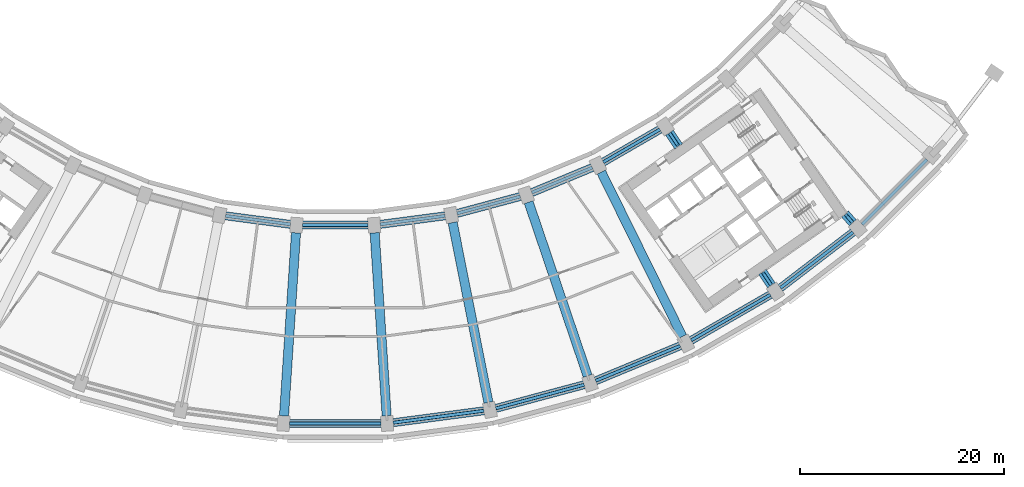
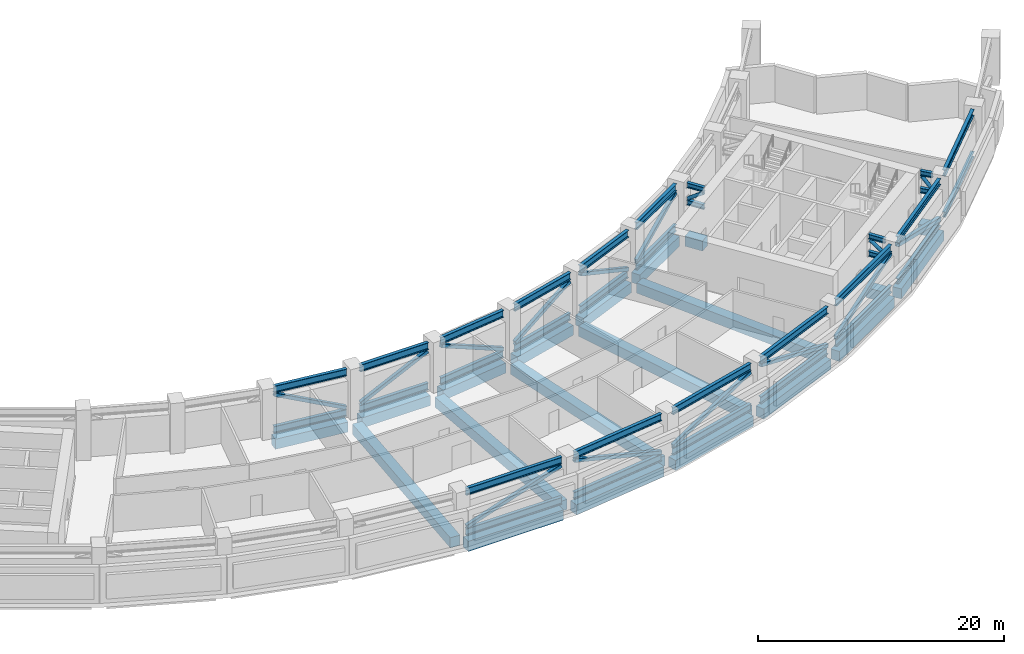
# One storey, part 3 of 25: 47 members, 20 beams.
"""IFC4 building model written with IfcOpenShell, lengths in metres."""

from ifc_helpers import new_model, si_unit, direction, frame, origin, origin_2d, place, context, subcontext, project, spatial, rectangle, hollow_rectangle, hollow_circle, i_section, extrude, material, material_profile, profile_set, type_object, element, save


model = new_model("IFC4")

# Units and contexts
model_context = context("Model", 3, precision=1e-05, world=origin(), true_north=direction((0.0, 1.0)))
body_context = subcontext(model_context, "Body", "Model", "MODEL_VIEW")
ifc_project = project(units=[si_unit("LENGTHUNIT", "METRE"), si_unit("AREAUNIT", "SQUARE_METRE"), si_unit("VOLUMEUNIT", "CUBIC_METRE"), si_unit("PLANEANGLEUNIT", "RADIAN"), si_unit("MASSUNIT", "GRAM", prefix="KILO")], contexts=[model_context])

# Site, building, storey
site_placement = place(None, origin())
site = spatial("IfcSite", under=ifc_project, at=site_placement, CompositionType="ELEMENT")
building_placement = place(site_placement, origin())
building = spatial("IfcBuilding", under=site, at=building_placement, Name="Qamariyya Broadcast Tower", CompositionType="ELEMENT")
storey_placement = place(building_placement, frame((0.0, 0.0, 144.300048828125)))
storey = spatial("IfcBuildingStorey", under=building, at=storey_placement, Name="L33", CompositionType="ELEMENT", Elevation=144.300048828125)

# Members
ifc_material_1 = material(Name="Steel S355", Category="steel")
ifc_material_profile_1 = material_profile(ifc_material_1, i_section(OverallWidth=0.300048828125, OverallDepth=0.699951171875, WebThickness=0.01708984375, FlangeThickness=0.031982421875, FilletRadius=0.027099609375, at=origin_2d()))
ifc_profile_set_1 = profile_set([ifc_material_profile_1], Name="Steel S355")
member_type_1 = type_object("IfcMemberType", Name="Belt truss bottom chord HEB 700", PredefinedType="CHORD", material=ifc_profile_set_1)
for number, where, z_axis, x_axis, name in (
    (1, (-10.767822265625, -57.209228515625, 0.349853515625), (0.991443543958, -0.1305361986, 0.0), (0.1305361986, 0.991443543958, 0.0), "Belt truss bottom chord T12 L33 B-R09"),
    (2, (-3.20849609375, -58.125244140625, 0.349853515625), (1.0, 0.0, 0.0), (0.0, 1.0, 0.0), "Belt truss bottom chord T12 L33 B-R10"),
    (3, (4.40576171875, -58.046875, 0.349853515625), (0.991443543958, 0.1305361986, 0.0), (-0.1305361986, 0.991443543958, 0.0), "Belt truss bottom chord T12 L33 B-R11"),
    (4, (11.94482421875, -56.97509765625, 0.349853515625), (0.965922916603, 0.258829903956, 0.0), (-0.258829903956, 0.965922916603, 0.0), "Belt truss bottom chord T12 L33 B-R12"),
    (5, (19.279296875, -54.928466796875, 0.349853515625), (0.923884212686, 0.382672133229, 0.0), (-0.382672133229, 0.923884212686, 0.0), "Belt truss bottom chord T12 L33 B-R13"),
    (6, (26.283935546875, -51.942138671875, 0.349853515625), (0.866029096901, 0.49999360328, 0.0), (-0.49999360328, 0.866029096901, 0.0), "Belt truss bottom chord T12 L33 B-R14"),
):
    element("IfcMember", number, at=place(storey_placement, frame(where, z_axis=z_axis, x_axis=x_axis)), inside=storey, type_object=member_type_1, Name=name, PredefinedType="CHORD", context=body_context, shape_type="SweptSolid", body=[
        extrude(i_section(OverallWidth=0.300048828125, OverallDepth=0.699951171875, WebThickness=0.01708984375, FlangeThickness=0.031982421875, FilletRadius=0.027099609375, at=origin_2d()), origin(), (0.0, 0.0, 1.0), 6.4169921875),
    ])
member_1_placement = place(storey_placement, frame((-4.48388671875, -77.58349609375, 0.349853515625), z_axis=(1.0, 0.0, 0.0), x_axis=(0.0, 1.0, 0.0)))
element("IfcMember", 7, at=member_1_placement, inside=storey, type_object=member_type_1, Name="Belt truss bottom chord T12 L33 C-R10", PredefinedType="CHORD", context=body_context, shape_type="SweptSolid", body=[
    extrude(i_section(OverallWidth=0.300048828125, OverallDepth=0.699951171875, WebThickness=0.01708984375, FlangeThickness=0.031982421875, FilletRadius=0.027099609375, at=origin_2d()), origin(), (0.0, 0.0, 1.0), 8.9677734375),
])
for number, where, z_axis, x_axis, name in (
    (8, (5.68115234375, -77.505126953125, 0.349853515625), (0.991442708618, 0.130542542983, 0.0), (-0.130542542983, 0.991442708618, 0.0), "Belt truss bottom chord T12 L33 C-R11"),
    (9, (15.7490234375, -76.100341796875, 0.349853515625), (0.965931525183, 0.258797775603, 0.0), (-0.258797775603, 0.965931525183, 0.0), "Belt truss bottom chord T12 L33 C-R12"),
):
    element("IfcMember", number, at=place(storey_placement, frame(where, z_axis=z_axis, x_axis=x_axis)), inside=storey, type_object=member_type_1, Name=name, PredefinedType="CHORD", context=body_context, shape_type="SweptSolid", body=[
        extrude(i_section(OverallWidth=0.300048828125, OverallDepth=0.699951171875, WebThickness=0.01708984375, FlangeThickness=0.031982421875, FilletRadius=0.027099609375, at=origin_2d()), origin(), (0.0, 0.0, 1.0), 8.967529296875),
    ])
member_2_placement = place(storey_placement, frame((25.54736328125, -73.393798828125, 0.349853515625), z_axis=(0.923877140182, 0.382689207907, 0.0), x_axis=(-0.382689207907, 0.923877140182, 0.0)))
element("IfcMember", 10, at=member_2_placement, inside=storey, type_object=member_type_1, Name="Belt truss bottom chord T12 L33 C-R13", PredefinedType="CHORD", context=body_context, shape_type="SweptSolid", body=[
    extrude(i_section(OverallWidth=0.300048828125, OverallDepth=0.699951171875, WebThickness=0.01708984375, FlangeThickness=0.031982421875, FilletRadius=0.027099609375, at=origin_2d()), origin(), (0.0, 0.0, 1.0), 8.9677734375),
])
member_3_placement = place(storey_placement, frame((34.90869140625, -69.43115234375, 0.349853515625), z_axis=(0.866031440343, 0.499989544228, 0.0), x_axis=(-0.499989544228, 0.866031440343, 0.0)))
element("IfcMember", 11, at=member_3_placement, inside=storey, type_object=member_type_1, Name="Belt truss bottom chord T12 L33 C-R14", PredefinedType="CHORD", context=body_context, shape_type="SweptSolid", body=[
    extrude(i_section(OverallWidth=0.300048828125, OverallDepth=0.699951171875, WebThickness=0.01708984375, FlangeThickness=0.031982421875, FilletRadius=0.027099609375, at=origin_2d()), origin(), (0.0, 0.0, 1.0), 8.967529296875),
])
ifc_material_profile_2 = material_profile(ifc_material_1, hollow_rectangle(XDim=0.35009765625, YDim=0.35009765625, WallThickness=0.01416015625, InnerFilletRadius=0.01416015625, OuterFilletRadius=0.0283203125, at=origin_2d()))
ifc_profile_set_2 = profile_set([ifc_material_profile_2], Name="Steel S355")
member_type_2 = type_object("IfcMemberType", Name="Belt truss diagonal RHS 350x350x14.2", PredefinedType="BRACE", material=ifc_profile_set_2)
member_4_placement = place(storey_placement, frame((-10.691162109375, -57.21923828125, 3.842041015625), z_axis=(0.895021420034, -0.117829881415, -0.430177610675), x_axis=(0.130524097332, 0.991445137169, 0.0)))
element("IfcMember", 12, at=member_4_placement, inside=storey, type_object=member_type_2, Name="Belt truss diagonal T13 L33 B-R09", PredefinedType="BRACE", context=body_context, shape_type="SweptSolid", body=[
    extrude(hollow_rectangle(XDim=0.35009765625, YDim=0.35009765625, WallThickness=0.01416015625, InnerFilletRadius=0.01416015625, OuterFilletRadius=0.0283203125, at=origin_2d()), origin(), (0.0, 0.0, 1.0), 6.93701171875),
])
member_5_placement = place(storey_placement, frame((-3.131103515625, -58.125244140625, 0.85791015625), z_axis=(0.902741434092, 0.0, 0.430183569158), x_axis=(0.0, 1.0, 0.0)))
element("IfcMember", 13, at=member_5_placement, inside=storey, type_object=member_type_2, Name="Belt truss diagonal T13 L33 B-R10", PredefinedType="BRACE", context=body_context, shape_type="SweptSolid", body=[
    extrude(hollow_rectangle(XDim=0.35009765625, YDim=0.35009765625, WallThickness=0.01416015625, InnerFilletRadius=0.01416015625, OuterFilletRadius=0.0283203125, at=origin_2d()), origin(), (0.0, 0.0, 1.0), 6.936767578125),
])
for number, where, z_axis, x_axis, name in (
    (14, (4.482421875, -58.03662109375, 3.842041015625), (0.895021420034, 0.117829881415, -0.430177610675), (-0.130524097332, 0.991445137169, 0.0), "Belt truss diagonal T13 L33 B-R11"),
    (15, (12.01953125, -56.955078125, 0.85791015625), (0.871979197049, 0.233656356523, 0.430182504259), (-0.258829623139, 0.965922991851, 0.0), "Belt truss diagonal T13 L33 B-R12"),
    (16, (19.350830078125, -54.89892578125, 3.842041015625), (0.834027860001, 0.345464489567, -0.430176493071), (-0.382682334211, 0.923879987381, 0.0), "Belt truss diagonal T13 L33 B-R13"),
    (17, (26.35107421875, -51.903564453125, 0.85791015625), (0.781803150411, 0.451365148286, 0.430178261793), (-0.499992430511, 0.866029773987, 0.0), "Belt truss diagonal T13 L33 B-R14"),
):
    element("IfcMember", number, at=place(storey_placement, frame(where, z_axis=z_axis, x_axis=x_axis)), inside=storey, type_object=member_type_2, Name=name, PredefinedType="BRACE", context=body_context, shape_type="SweptSolid", body=[
        extrude(hollow_rectangle(XDim=0.35009765625, YDim=0.35009765625, WallThickness=0.01416015625, InnerFilletRadius=0.01416015625, OuterFilletRadius=0.0283203125, at=origin_2d()), origin(), (0.0, 0.0, 1.0), 6.93701171875),
    ])
member_6_placement = place(storey_placement, frame((-4.42626953125, -77.58349609375, 0.865966796875), z_axis=(0.948130129228, 0.0, 0.317882459488), x_axis=(0.0, 1.0, 0.0)))
element("IfcMember", 18, at=member_6_placement, inside=storey, type_object=member_type_2, Name="Belt truss diagonal T13 L33 C-R10", PredefinedType="BRACE", context=body_context, shape_type="SweptSolid", body=[
    extrude(hollow_rectangle(XDim=0.35009765625, YDim=0.35009765625, WallThickness=0.01416015625, InnerFilletRadius=0.01416015625, OuterFilletRadius=0.0283203125, at=origin_2d()), origin(), (0.0, 0.0, 1.0), 9.3369140625),
])
for number, where, z_axis, x_axis, name in (
    (19, (5.73828125, -77.49755859375, 3.833984375), (0.940015972806, 0.123761317402, -0.317888513767), (-0.130532274578, 0.991444060597, 0.0), "Belt truss diagonal T13 L33 C-R11"),
    (20, (15.8046875, -76.08544921875, 0.865966796875), (0.915825969819, 0.245377766697, 0.317887628914), (-0.258802254758, 0.965930325092, 0.0), "Belt truss diagonal T13 L33 C-R12"),
    (21, (25.6005859375, -73.37158203125, 3.833984375), (0.875967952114, 0.362807621958, -0.317884847577), (-0.382656259044, 0.923890787601, 0.0), "Belt truss diagonal T13 L33 C-R13"),
    (22, (34.95849609375, -69.40234375, 0.865966796875), (0.821114265054, 0.474045618469, 0.317886953705), (-0.49998028459, 0.866036786182, 0.0), "Belt truss diagonal T13 L33 C-R14"),
):
    element("IfcMember", number, at=place(storey_placement, frame(where, z_axis=z_axis, x_axis=x_axis)), inside=storey, type_object=member_type_2, Name=name, PredefinedType="BRACE", context=body_context, shape_type="SweptSolid", body=[
        extrude(hollow_rectangle(XDim=0.35009765625, YDim=0.35009765625, WallThickness=0.01416015625, InnerFilletRadius=0.01416015625, OuterFilletRadius=0.0283203125, at=origin_2d()), origin(), (0.0, 0.0, 1.0), 9.336669921875),
    ])
ifc_material_profile_3 = material_profile(ifc_material_1, i_section(OverallWidth=0.300048828125, OverallDepth=0.699951171875, WebThickness=0.01708984375, FlangeThickness=0.031982421875, FilletRadius=0.027099609375, at=origin_2d()))
ifc_profile_set_3 = profile_set([ifc_material_profile_3], Name="Steel S355")
member_type_3 = type_object("IfcMemberType", Name="Belt truss top chord HEB 700", PredefinedType="CHORD", material=ifc_profile_set_3)
for number, where, z_axis, x_axis, name in (
    (23, (-10.767822265625, -57.209228515625, 4.349853515625), (0.991443543958, -0.1305361986, 0.0), (0.1305361986, 0.991443543958, 0.0), "Belt truss top chord T11 L33 B-R09"),
    (24, (-3.20849609375, -58.125244140625, 4.349853515625), (1.0, 0.0, 0.0), (0.0, 1.0, 0.0), "Belt truss top chord T11 L33 B-R10"),
    (25, (4.40576171875, -58.046875, 4.349853515625), (0.991443543958, 0.1305361986, 0.0), (-0.1305361986, 0.991443543958, 0.0), "Belt truss top chord T11 L33 B-R11"),
    (26, (11.94482421875, -56.97509765625, 4.349853515625), (0.965922916603, 0.258829903956, 0.0), (-0.258829903956, 0.965922916603, 0.0), "Belt truss top chord T11 L33 B-R12"),
    (27, (19.279296875, -54.928466796875, 4.349853515625), (0.923884212686, 0.382672133229, 0.0), (-0.382672133229, 0.923884212686, 0.0), "Belt truss top chord T11 L33 B-R13"),
    (28, (26.283935546875, -51.942138671875, 4.349853515625), (0.866029096901, 0.49999360328, 0.0), (-0.49999360328, 0.866029096901, 0.0), "Belt truss top chord T11 L33 B-R14"),
):
    element("IfcMember", number, at=place(storey_placement, frame(where, z_axis=z_axis, x_axis=x_axis)), inside=storey, type_object=member_type_3, Name=name, PredefinedType="CHORD", context=body_context, shape_type="SweptSolid", body=[
        extrude(i_section(OverallWidth=0.300048828125, OverallDepth=0.699951171875, WebThickness=0.01708984375, FlangeThickness=0.031982421875, FilletRadius=0.027099609375, at=origin_2d()), origin(), (0.0, 0.0, 1.0), 6.4169921875),
    ])
member_7_placement = place(storey_placement, frame((-4.48388671875, -77.58349609375, 4.349853515625), z_axis=(1.0, 0.0, 0.0), x_axis=(0.0, 1.0, 0.0)))
element("IfcMember", 29, at=member_7_placement, inside=storey, type_object=member_type_3, Name="Belt truss top chord T11 L33 C-R10", PredefinedType="CHORD", context=body_context, shape_type="SweptSolid", body=[
    extrude(i_section(OverallWidth=0.300048828125, OverallDepth=0.699951171875, WebThickness=0.01708984375, FlangeThickness=0.031982421875, FilletRadius=0.027099609375, at=origin_2d()), origin(), (0.0, 0.0, 1.0), 8.9677734375),
])
for number, where, z_axis, x_axis, name in (
    (30, (5.68115234375, -77.505126953125, 4.349853515625), (0.991442708618, 0.130542542983, 0.0), (-0.130542542983, 0.991442708618, 0.0), "Belt truss top chord T11 L33 C-R11"),
    (31, (15.7490234375, -76.100341796875, 4.349853515625), (0.965931525183, 0.258797775603, 0.0), (-0.258797775603, 0.965931525183, 0.0), "Belt truss top chord T11 L33 C-R12"),
):
    element("IfcMember", number, at=place(storey_placement, frame(where, z_axis=z_axis, x_axis=x_axis)), inside=storey, type_object=member_type_3, Name=name, PredefinedType="CHORD", context=body_context, shape_type="SweptSolid", body=[
        extrude(i_section(OverallWidth=0.300048828125, OverallDepth=0.699951171875, WebThickness=0.01708984375, FlangeThickness=0.031982421875, FilletRadius=0.027099609375, at=origin_2d()), origin(), (0.0, 0.0, 1.0), 8.967529296875),
    ])
member_8_placement = place(storey_placement, frame((25.54736328125, -73.393798828125, 4.349853515625), z_axis=(0.923877140182, 0.382689207907, 0.0), x_axis=(-0.382689207907, 0.923877140182, 0.0)))
element("IfcMember", 32, at=member_8_placement, inside=storey, type_object=member_type_3, Name="Belt truss top chord T11 L33 C-R13", PredefinedType="CHORD", context=body_context, shape_type="SweptSolid", body=[
    extrude(i_section(OverallWidth=0.300048828125, OverallDepth=0.699951171875, WebThickness=0.01708984375, FlangeThickness=0.031982421875, FilletRadius=0.027099609375, at=origin_2d()), origin(), (0.0, 0.0, 1.0), 8.9677734375),
])
member_9_placement = place(storey_placement, frame((34.90869140625, -69.43115234375, 4.349853515625), z_axis=(0.866031440343, 0.499989544228, 0.0), x_axis=(-0.499989544228, 0.866031440343, 0.0)))
element("IfcMember", 33, at=member_9_placement, inside=storey, type_object=member_type_3, Name="Belt truss top chord T11 L33 C-R14", PredefinedType="CHORD", context=body_context, shape_type="SweptSolid", body=[
    extrude(i_section(OverallWidth=0.300048828125, OverallDepth=0.699951171875, WebThickness=0.01708984375, FlangeThickness=0.031982421875, FilletRadius=0.027099609375, at=origin_2d()), origin(), (0.0, 0.0, 1.0), 8.967529296875),
])
ifc_material_profile_4 = material_profile(ifc_material_1, i_section(OverallWidth=0.300048828125, OverallDepth=0.489990234375, WebThickness=0.011962890625, FlangeThickness=0.02294921875, FilletRadius=0.027099609375, at=origin_2d()))
ifc_profile_set_4 = profile_set([ifc_material_profile_4], Name="Steel S355")
member_type_4 = type_object("IfcMemberType", Name="Outrigger truss bottom chord HEA 500", PredefinedType="CHORD", material=ifc_profile_set_4)
member_10_placement = place(storey_placement, frame((32.789794921875, -49.0732421875, 2.744873046875), z_axis=(0.555572556264, -0.831468059956, 0.0), x_axis=(0.831468059956, 0.555572556264, 0.0)))
element("IfcMember", 34, at=member_10_placement, inside=storey, type_object=member_type_4, Name="Outrigger truss bottom chord T9 L33 R15", PredefinedType="CHORD", context=body_context, shape_type="SweptSolid", body=[
    extrude(i_section(OverallWidth=0.300048828125, OverallDepth=0.489990234375, WebThickness=0.011962890625, FlangeThickness=0.02294921875, FilletRadius=0.027099609375, at=origin_2d()), origin(), (0.0, 0.0, 1.0), 1.549560546875),
])
member_11_placement = place(storey_placement, frame((41.925048828125, -62.7451171875, 2.744873046875), z_axis=(0.555516938303, -0.831505220223, 0.0), x_axis=(0.831505220223, 0.555516938303, 0.0)))
element("IfcMember", 35, at=member_11_placement, inside=storey, type_object=member_type_4, Name="Outrigger truss bottom chord T9 L33 R15", PredefinedType="CHORD", context=body_context, shape_type="SweptSolid", body=[
    extrude(i_section(OverallWidth=0.300048828125, OverallDepth=0.489990234375, WebThickness=0.011962890625, FlangeThickness=0.02294921875, FilletRadius=0.027099609375, at=origin_2d()), origin(), (0.0, 0.0, 1.0), 1.51708984375),
])
member_12_placement = place(storey_placement, frame((50.04150390625, -57.0615234375, 2.744873046875), z_axis=(0.659317250818, -0.751864856722, 0.0), x_axis=(0.751864856722, 0.659317250818, 0.0)))
element("IfcMember", 36, at=member_12_placement, inside=storey, type_object=member_type_4, Name="Outrigger truss bottom chord T9 L33 R16", PredefinedType="CHORD", context=body_context, shape_type="SweptSolid", body=[
    extrude(i_section(OverallWidth=0.300048828125, OverallDepth=0.489990234375, WebThickness=0.011962890625, FlangeThickness=0.02294921875, FilletRadius=0.027099609375, at=origin_2d()), origin(), (0.0, 0.0, 1.0), 1.084228515625),
])
ifc_material_profile_5 = material_profile(ifc_material_1, hollow_circle(Radius=0.161865234375, WallThickness=0.012451171875, at=origin_2d()))
ifc_profile_set_5 = profile_set([ifc_material_profile_5], Name="Steel S355")
member_type_5 = type_object("IfcMemberType", Name="Outrigger truss diagonal CHS 323.9x12.5", PredefinedType="BRACE", material=ifc_profile_set_5)
member_13_placement = place(storey_placement, frame((32.842529296875, -49.15234375, 3.12255859375), z_axis=(0.454606184712, -0.6803659971, 0.574835043132), x_axis=(0.831469522269, 0.555570367764, 0.0)))
element("IfcMember", 37, at=member_13_placement, inside=storey, type_object=member_type_5, Name="Outrigger truss diagonal T17 L33 R15", PredefinedType="BRACE", context=body_context, shape_type="SweptSolid", body=[
    extrude(hollow_circle(Radius=0.161865234375, WallThickness=0.012451171875, at=origin_2d()), origin(), (0.0, 0.0, 1.0), 1.6611328125),
])
member_14_placement = place(storey_placement, frame((41.978759765625, -62.82568359375, 4.078857421875), z_axis=(0.450009392603, -0.673594265182, -0.586312470004), x_axis=(0.83151061345, 0.555508865564, 0.0)))
element("IfcMember", 38, at=member_14_placement, inside=storey, type_object=member_type_5, Name="Outrigger truss diagonal T17 L33 R15", PredefinedType="BRACE", context=body_context, shape_type="SweptSolid", body=[
    extrude(hollow_circle(Radius=0.161865234375, WallThickness=0.012451171875, at=origin_2d()), origin(), (0.0, 0.0, 1.0), 1.633544921875),
])
member_15_placement = place(storey_placement, frame((50.12548828125, -57.1572265625, 4.107421875), z_axis=(0.417246067759, -0.475735025472, -0.774326742712), x_axis=(0.751810313566, 0.659379444945, 0.0)))
element("IfcMember", 39, at=member_15_placement, inside=storey, type_object=member_type_5, Name="Outrigger truss diagonal T17 L33 R16", PredefinedType="BRACE", context=body_context, shape_type="SweptSolid", body=[
    extrude(hollow_circle(Radius=0.161865234375, WallThickness=0.012451171875, at=origin_2d()), origin(), (0.0, 0.0, 1.0), 1.310791015625),
])
ifc_material_profile_6 = material_profile(ifc_material_1, i_section(OverallWidth=0.300048828125, OverallDepth=0.489990234375, WebThickness=0.011962890625, FlangeThickness=0.02294921875, FilletRadius=0.027099609375, at=origin_2d()))
ifc_profile_set_6 = profile_set([ifc_material_profile_6], Name="Steel S355")
member_type_6 = type_object("IfcMemberType", Name="Outrigger truss top chord HEA 500", PredefinedType="CHORD", material=ifc_profile_set_6)
member_16_placement = place(storey_placement, frame((32.789794921875, -49.0732421875, 4.454833984375), z_axis=(0.555572556264, -0.831468059956, 0.0), x_axis=(0.831468059956, 0.555572556264, 0.0)))
element("IfcMember", 40, at=member_16_placement, inside=storey, type_object=member_type_6, Name="Outrigger truss top chord T8 L33 R15", PredefinedType="CHORD", context=body_context, shape_type="SweptSolid", body=[
    extrude(i_section(OverallWidth=0.300048828125, OverallDepth=0.489990234375, WebThickness=0.011962890625, FlangeThickness=0.02294921875, FilletRadius=0.027099609375, at=origin_2d()), origin(), (0.0, 0.0, 1.0), 1.549560546875),
])
member_17_placement = place(storey_placement, frame((41.925048828125, -62.7451171875, 4.454833984375), z_axis=(0.555516938303, -0.831505220223, 0.0), x_axis=(0.831505220223, 0.555516938303, 0.0)))
element("IfcMember", 41, at=member_17_placement, inside=storey, type_object=member_type_6, Name="Outrigger truss top chord T8 L33 R15", PredefinedType="CHORD", context=body_context, shape_type="SweptSolid", body=[
    extrude(i_section(OverallWidth=0.300048828125, OverallDepth=0.489990234375, WebThickness=0.011962890625, FlangeThickness=0.02294921875, FilletRadius=0.027099609375, at=origin_2d()), origin(), (0.0, 0.0, 1.0), 1.51708984375),
])
member_18_placement = place(storey_placement, frame((50.04150390625, -57.0615234375, 4.454833984375), z_axis=(0.659317250818, -0.751864856722, 0.0), x_axis=(0.751864856722, 0.659317250818, 0.0)))
element("IfcMember", 42, at=member_18_placement, inside=storey, type_object=member_type_6, Name="Outrigger truss top chord T8 L33 R16", PredefinedType="CHORD", context=body_context, shape_type="SweptSolid", body=[
    extrude(i_section(OverallWidth=0.300048828125, OverallDepth=0.489990234375, WebThickness=0.011962890625, FlangeThickness=0.02294921875, FilletRadius=0.027099609375, at=origin_2d()), origin(), (0.0, 0.0, 1.0), 1.084228515625),
])

# Beams
ifc_material_2 = material(Name="Concrete C50/60", Category="concrete")
ifc_material_profile_7 = material_profile(ifc_material_2, rectangle(XDim=0.800048828125, YDim=1.0, at=origin_2d()))
ifc_profile_set_7 = profile_set([ifc_material_profile_7], Name="Concrete C50/60")
beam_type_1 = type_object("IfcBeamType", Name="RC edge beam 800 x 1000 C50/60", PredefinedType="SPANDREL", material=ifc_profile_set_7)
for number, where, z_axis, x_axis, name in (
    (43, (-10.767822265625, -57.209228515625, -0.900146484375), (0.991443543958, -0.1305361986, 0.0), (0.1305361986, 0.991443543958, 0.0), "Edge beam B10 L33 B R09-R10"),
    (44, (-3.20849609375, -58.125244140625, -0.900146484375), (1.0, 0.0, 0.0), (0.0, 1.0, 0.0), "Edge beam B10 L33 B R10-R11"),
    (45, (4.40576171875, -58.046875, -0.900146484375), (0.991443543958, 0.1305361986, 0.0), (-0.1305361986, 0.991443543958, 0.0), "Edge beam B10 L33 B R11-R12"),
    (46, (11.94482421875, -56.97509765625, -0.900146484375), (0.965922916603, 0.258829903956, 0.0), (-0.258829903956, 0.965922916603, 0.0), "Edge beam B10 L33 B R12-R13"),
    (47, (19.279296875, -54.928466796875, -0.900146484375), (0.923884212686, 0.382672133229, 0.0), (-0.382672133229, 0.923884212686, 0.0), "Edge beam B10 L33 B R13-R14"),
    (48, (26.283935546875, -51.942138671875, -0.900146484375), (0.866029096901, 0.49999360328, 0.0), (-0.49999360328, 0.866029096901, 0.0), "Edge beam B10 L33 B R14-R15"),
):
    element("IfcBeam", number, at=place(storey_placement, frame(where, z_axis=z_axis, x_axis=x_axis)), inside=storey, type_object=beam_type_1, Name=name, PredefinedType="SPANDREL", context=body_context, shape_type="SweptSolid", body=[
        extrude(rectangle(XDim=0.800048828125, YDim=1.0, at=origin_2d()), origin(), (0.0, 0.0, 1.0), 6.4169921875),
    ])
beam_1_placement = place(storey_placement, frame((-4.48388671875, -77.58349609375, -0.900146484375), z_axis=(1.0, 0.0, 0.0), x_axis=(0.0, 1.0, 0.0)))
element("IfcBeam", 49, at=beam_1_placement, inside=storey, type_object=beam_type_1, Name="Edge beam B10 L33 C R10-R11", PredefinedType="SPANDREL", context=body_context, shape_type="SweptSolid", body=[
    extrude(rectangle(XDim=0.800048828125, YDim=1.0, at=origin_2d()), origin(), (0.0, 0.0, 1.0), 8.9677734375),
])
for number, where, z_axis, x_axis, name in (
    (50, (5.68115234375, -77.505126953125, -0.900146484375), (0.991442708618, 0.130542542983, 0.0), (-0.130542542983, 0.991442708618, 0.0), "Edge beam B10 L33 C R11-R12"),
    (51, (15.7490234375, -76.100341796875, -0.900146484375), (0.965931525183, 0.258797775603, 0.0), (-0.258797775603, 0.965931525183, 0.0), "Edge beam B10 L33 C R12-R13"),
):
    element("IfcBeam", number, at=place(storey_placement, frame(where, z_axis=z_axis, x_axis=x_axis)), inside=storey, type_object=beam_type_1, Name=name, PredefinedType="SPANDREL", context=body_context, shape_type="SweptSolid", body=[
        extrude(rectangle(XDim=0.800048828125, YDim=1.0, at=origin_2d()), origin(), (0.0, 0.0, 1.0), 8.967529296875),
    ])
beam_2_placement = place(storey_placement, frame((25.54736328125, -73.393798828125, -0.900146484375), z_axis=(0.923877140182, 0.382689207907, 0.0), x_axis=(-0.382689207907, 0.923877140182, 0.0)))
element("IfcBeam", 52, at=beam_2_placement, inside=storey, type_object=beam_type_1, Name="Edge beam B10 L33 C R13-R14", PredefinedType="SPANDREL", context=body_context, shape_type="SweptSolid", body=[
    extrude(rectangle(XDim=0.800048828125, YDim=1.0, at=origin_2d()), origin(), (0.0, 0.0, 1.0), 8.9677734375),
])
beam_3_placement = place(storey_placement, frame((34.90869140625, -69.43115234375, -0.900146484375), z_axis=(0.866031440343, 0.499989544228, 0.0), x_axis=(-0.499989544228, 0.866031440343, 0.0)))
element("IfcBeam", 53, at=beam_3_placement, inside=storey, type_object=beam_type_1, Name="Edge beam B10 L33 C R14-R15", PredefinedType="SPANDREL", context=body_context, shape_type="SweptSolid", body=[
    extrude(rectangle(XDim=0.800048828125, YDim=1.0, at=origin_2d()), origin(), (0.0, 0.0, 1.0), 8.967529296875),
])
beam_4_placement = place(storey_placement, frame((43.672607421875, -64.28076171875, -0.900146484375), z_axis=(0.793349076984, 0.608766985019, 0.0), x_axis=(-0.608766985019, 0.793349076984, 0.0)))
element("IfcBeam", 54, at=beam_4_placement, inside=storey, type_object=beam_type_1, Name="Edge beam B10 L33 C R15-R16", PredefinedType="SPANDREL", context=body_context, shape_type="SweptSolid", body=[
    extrude(rectangle(XDim=0.800048828125, YDim=1.0, at=origin_2d()), origin(), (0.0, 0.0, 1.0), 8.9677734375),
])
ifc_material_profile_8 = material_profile(ifc_material_2, rectangle(XDim=0.89990234375, YDim=1.0, at=origin_2d()))
ifc_profile_set_8 = profile_set([ifc_material_profile_8], Name="Concrete C50/60")
beam_type_2 = type_object("IfcBeamType", Name="RC radial beam 900 x 1000 C50/60", PredefinedType="BEAM", material=ifc_profile_set_8)
for number, where, z_axis, x_axis, name in (
    (55, (-3.85888671875, -58.873779296875, -0.900146484375), (-0.065402689504, -0.99785895206, 0.0), (0.99785895206, -0.065402689504, 0.0), "Radial beam B9 L33 R10 B-C"),
    (56, (3.85888671875, -58.873779296875, -0.900146484375), (0.065402689504, -0.99785895206, 0.0), (0.99785895206, 0.065402689504, 0.0), "Radial beam B9 L33 R11 B-C"),
):
    element("IfcBeam", number, at=place(storey_placement, frame(where, z_axis=z_axis, x_axis=x_axis)), inside=storey, type_object=beam_type_2, Name=name, PredefinedType="BEAM", context=body_context, shape_type="SweptSolid", body=[
        extrude(rectangle(XDim=0.89990234375, YDim=1.0, at=origin_2d()), origin(), (0.0, 0.0, 1.0), 18.0),
    ])
beam_5_placement = place(storey_placement, frame((11.51025390625, -57.8662109375, -0.900146484375), z_axis=(0.195093569287, -0.980784634475, 0.0), x_axis=(0.980784634475, 0.195093569287, 0.0)))
element("IfcBeam", 57, at=beam_5_placement, inside=storey, type_object=beam_type_2, Name="Radial beam B9 L33 R12 B-C", PredefinedType="BEAM", context=body_context, shape_type="SweptSolid", body=[
    extrude(rectangle(XDim=0.89990234375, YDim=1.0, at=origin_2d()), origin(), (0.0, 0.0, 1.0), 18.000244140625),
])
beam_6_placement = place(storey_placement, frame((18.96484375, -55.868896484375, -0.900146484375), z_axis=(0.321439476461, -0.946930125707, 0.0), x_axis=(0.946930125707, 0.321439476461, 0.0)))
element("IfcBeam", 58, at=beam_6_placement, inside=storey, type_object=beam_type_2, Name="Radial beam B9 L33 R13 B-C", PredefinedType="BEAM", context=body_context, shape_type="SweptSolid", body=[
    extrude(rectangle(XDim=0.89990234375, YDim=1.0, at=origin_2d()), origin(), (0.0, 0.0, 1.0), 18.0),
])
beam_7_placement = place(storey_placement, frame((26.094970703125, -52.91552734375, -0.900146484375), z_axis=(0.442291437941, -0.896871386501, 0.0), x_axis=(0.896871386501, 0.442291437941, 0.0)))
element("IfcBeam", 59, at=beam_7_placement, inside=storey, type_object=beam_type_2, Name="Radial beam B9 L33 R14 B-C", PredefinedType="BEAM", context=body_context, shape_type="SweptSolid", body=[
    extrude(rectangle(XDim=0.89990234375, YDim=1.0, at=origin_2d()), origin(), (0.0, 0.0, 1.0), 17.999755859375),
])
beam_8_placement = place(storey_placement, frame((32.778564453125, -49.056640625, -0.900146484375), z_axis=(0.555537373717, -0.831491567248, 0.0), x_axis=(0.831491567248, 0.555537373717, 0.0)))
element("IfcBeam", 60, at=beam_8_placement, inside=storey, type_object=beam_type_2, Name="Radial beam B9 L33 R15 B-C", PredefinedType="BEAM", context=body_context, shape_type="SweptSolid", body=[
    extrude(rectangle(XDim=0.89990234375, YDim=1.0, at=origin_2d()), origin(), (0.0, 0.0, 1.0), 1.614501953125),
])
beam_9_placement = place(storey_placement, frame((41.89990234375, -62.707763671875, -0.900146484375), z_axis=(0.555554602959, -0.831480055762, 0.0), x_axis=(0.831480055762, 0.555554602959, 0.0)))
element("IfcBeam", 61, at=beam_9_placement, inside=storey, type_object=beam_type_2, Name="Radial beam B9 L33 R15 B-C", PredefinedType="BEAM", context=body_context, shape_type="SweptSolid", body=[
    extrude(rectangle(XDim=0.89990234375, YDim=1.0, at=origin_2d()), origin(), (0.0, 0.0, 1.0), 1.58203125),
])
beam_10_placement = place(storey_placement, frame((50.011962890625, -57.027587890625, -0.900146484375), z_axis=(0.659271387296, -0.751905072395, 0.0), x_axis=(0.751905072395, 0.659271387296, 0.0)))
element("IfcBeam", 62, at=beam_10_placement, inside=storey, type_object=beam_type_2, Name="Radial beam B9 L33 R16 B-C", PredefinedType="BEAM", context=body_context, shape_type="SweptSolid", body=[
    extrude(rectangle(XDim=0.89990234375, YDim=1.0, at=origin_2d()), origin(), (0.0, 0.0, 1.0), 1.149169921875),
])

# Members
ifc_material_profile_9 = material_profile(ifc_material_1, i_section(OverallWidth=0.305908203125, OverallDepth=0.52392578125, WebThickness=0.02099609375, FlangeThickness=0.0400390625, FilletRadius=0.027099609375, at=origin_2d()))
ifc_profile_set_9 = profile_set([ifc_material_profile_9], Name="Steel S355")
member_type_7 = type_object("IfcMemberType", Name="Transfer truss bottom chord HEM 500", PredefinedType="CHORD", material=ifc_profile_set_9)
member_19_placement = place(storey_placement, frame((43.672607421875, -64.28076171875, 0.261962890625), z_axis=(0.793349076984, 0.608766985019, 0.0), x_axis=(-0.608766985019, 0.793349076984, 0.0)))
element("IfcMember", 63, at=member_19_placement, inside=storey, type_object=member_type_7, Name="Transfer truss bottom chord T15 L33 C-R15", PredefinedType="CHORD", context=body_context, shape_type="SweptSolid", body=[
    extrude(i_section(OverallWidth=0.305908203125, OverallDepth=0.52392578125, WebThickness=0.02099609375, FlangeThickness=0.0400390625, FilletRadius=0.027099609375, at=origin_2d()), origin(), (0.0, 0.0, 1.0), 8.9677734375),
])
member_20_placement = place(storey_placement, frame((51.689208984375, -58.0302734375, 0.261962890625), z_axis=(0.707106781187, 0.707106781187, 0.0), x_axis=(-0.707106781187, 0.707106781187, 0.0)))
element("IfcMember", 64, at=member_20_placement, inside=storey, type_object=member_type_7, Name="Transfer truss bottom chord T15 L33 C-R16", PredefinedType="CHORD", context=body_context, shape_type="SweptSolid", body=[
    extrude(i_section(OverallWidth=0.305908203125, OverallDepth=0.52392578125, WebThickness=0.02099609375, FlangeThickness=0.0400390625, FilletRadius=0.027099609375, at=origin_2d()), origin(), (0.0, 0.0, 1.0), 8.967529296875),
])
ifc_material_profile_10 = material_profile(ifc_material_1, hollow_rectangle(XDim=0.39990234375, YDim=0.39990234375, WallThickness=0.01611328125, InnerFilletRadius=0.01611328125, OuterFilletRadius=0.031982421875, at=origin_2d()))
ifc_profile_set_10 = profile_set([ifc_material_profile_10], Name="Steel S355")
member_type_8 = type_object("IfcMemberType", Name="Transfer truss diagonal RHS 400x400x16", PredefinedType="BRACE", material=ifc_profile_set_10)
member_21_placement = place(storey_placement, frame((43.72802734375, -64.23828125, 3.891845703125), z_axis=(0.746404414115, 0.572754222049, -0.338870257937), x_axis=(-0.60877345149, 0.793344114972, 0.0)))
element("IfcMember", 65, at=member_21_placement, inside=storey, type_object=member_type_8, Name="Transfer truss diagonal T16 L33 C-R15", PredefinedType="BRACE", context=body_context, shape_type="SweptSolid", body=[
    extrude(hollow_rectangle(XDim=0.39990234375, YDim=0.39990234375, WallThickness=0.01611328125, InnerFilletRadius=0.01611328125, OuterFilletRadius=0.031982421875, at=origin_2d()), origin(), (0.0, 0.0, 1.0), 9.38330078125),
])
ifc_material_profile_11 = material_profile(ifc_material_1, i_section(OverallWidth=0.304931640625, OverallDepth=0.6201171875, WebThickness=0.02099609375, FlangeThickness=0.0400390625, FilletRadius=0.027099609375, at=origin_2d()))
ifc_profile_set_11 = profile_set([ifc_material_profile_11], Name="Steel S355")
member_type_9 = type_object("IfcMemberType", Name="Transfer truss top chord HEM 600", PredefinedType="CHORD", material=ifc_profile_set_11)
member_22_placement = place(storey_placement, frame((43.672607421875, -64.28076171875, 4.389892578125), z_axis=(0.793349076984, 0.608766985019, 0.0), x_axis=(-0.608766985019, 0.793349076984, 0.0)))
element("IfcMember", 66, at=member_22_placement, inside=storey, type_object=member_type_9, Name="Transfer truss top chord T14 L33 C-R15", PredefinedType="CHORD", context=body_context, shape_type="SweptSolid", body=[
    extrude(i_section(OverallWidth=0.304931640625, OverallDepth=0.6201171875, WebThickness=0.02099609375, FlangeThickness=0.0400390625, FilletRadius=0.027099609375, at=origin_2d()), origin(), (0.0, 0.0, 1.0), 8.9677734375),
])
member_23_placement = place(storey_placement, frame((51.689208984375, -58.0302734375, 4.389892578125), z_axis=(0.707106781187, 0.707106781187, 0.0), x_axis=(-0.707106781187, 0.707106781187, 0.0)))
element("IfcMember", 67, at=member_23_placement, inside=storey, type_object=member_type_9, Name="Transfer truss top chord T14 L33 C-R16", PredefinedType="CHORD", context=body_context, shape_type="SweptSolid", body=[
    extrude(i_section(OverallWidth=0.304931640625, OverallDepth=0.6201171875, WebThickness=0.02099609375, FlangeThickness=0.0400390625, FilletRadius=0.027099609375, at=origin_2d()), origin(), (0.0, 0.0, 1.0), 8.967529296875),
])

save(model, "model.ifc")
